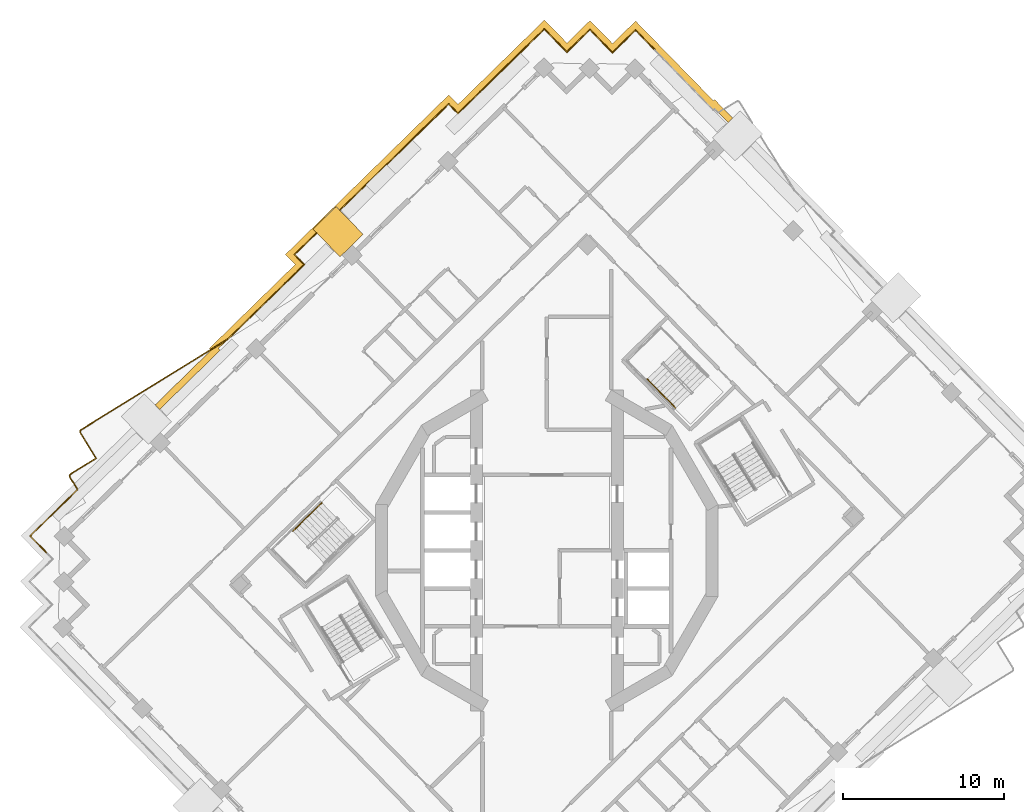
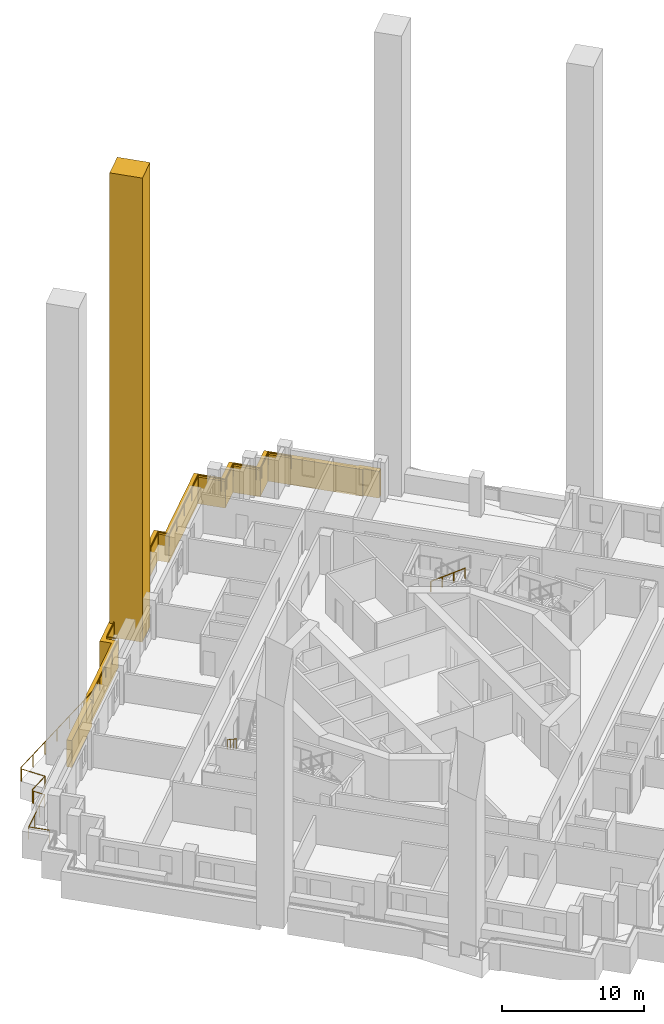
# One storey, part 14 of 17: 4 railings, 2 coverings.
"""IFC4 building model written with IfcOpenShell, lengths in metres."""

from ifc_helpers import new_model, si_unit, direction, frame, origin, origin_2d, place, context, subcontext, project, spatial, polyline, rectangle, circle, outline, extrude, material, type_object, element, save


model = new_model("IFC4")

# Units and contexts
model_context = context("Model", 3, precision=1e-05, world=origin(), true_north=direction((0.0, 1.0)))
body_context = subcontext(model_context, "Body", "Model", "MODEL_VIEW")
ifc_project = project(units=[si_unit("LENGTHUNIT", "METRE"), si_unit("AREAUNIT", "SQUARE_METRE"), si_unit("VOLUMEUNIT", "CUBIC_METRE"), si_unit("PLANEANGLEUNIT", "RADIAN"), si_unit("MASSUNIT", "GRAM", prefix="KILO")], contexts=[model_context])

# Site, building, storey
site_placement = place(None, origin())
site = spatial("IfcSite", under=ifc_project, at=site_placement, CompositionType="ELEMENT")
building_placement = place(site_placement, origin())
building = spatial("IfcBuilding", under=site, at=building_placement, Name="Cantera Rosa Tower", CompositionType="ELEMENT")
storey_placement = place(building_placement, frame((0.0, 0.0, 205.39990234375)))
storey = spatial("IfcBuildingStorey", under=building, at=storey_placement, Name="L43", CompositionType="ELEMENT", Elevation=205.39990234375)

# Railings
ifc_material_1 = material(Name="Stainless steel and laminated glass", Category="steel")
railing_type_1 = type_object("IfcRailingType", Name="GUARD 1100", PredefinedType="BALUSTRADE", material=ifc_material_1)
railing_1_placement = place(storey_placement, frame((-31.0107421875, -0.16943359375, 0.0)))
element("IfcRailing", 1, at=railing_1_placement, inside=storey, type_object=railing_type_1, Name="GUARD L43-4", PredefinedType="BALUSTRADE", context=body_context, shape_type="SweptSolid", body=[
    extrude(circle(Radius=0.030029296875, at=origin_2d()), frame((0.0, 0.0, 1.070068359375), z_axis=(-0.698838323933, 0.71527966349, 0.0), x_axis=(-0.71527966349, -0.698838323933, 0.0)), (0.0, 0.0, 1.0), 1.499755859375),
    extrude(circle(Radius=0.030029296875, at=origin_2d()), frame((-1.048095703125, 1.07275390625, 1.070068359375), z_axis=(0.71519829713, 0.698921594874, 0.0), x_axis=(-0.698921594874, 0.71519829713, 0.0)), (0.0, 0.0, 1.0), 1.5),
    extrude(circle(Radius=0.030029296875, at=origin_2d()), frame((0.024658203125, 2.12109375, 1.070068359375), z_axis=(0.715284895398, 0.698832968896, 0.0), x_axis=(-0.698832968896, 0.715284895398, 0.0)), (0.0, 0.0, 1.0), 2.61181640625),
    extrude(circle(Radius=0.030029296875, at=origin_2d()), frame((1.892822265625, 3.9462890625, 1.070068359375), z_axis=(-0.525036207182, 0.851079891166, 0.0), x_axis=(-0.851079891166, -0.525036207182, 0.0)), (0.0, 0.0, 1.0), 0.8994140625),
    extrude(circle(Radius=0.030029296875, at=origin_2d()), frame((1.420654296875, 4.711669921875, 1.070068359375), z_axis=(-0.480011415389, 0.877262241919, 0.0), x_axis=(-0.877262241919, -0.480011415389, 0.0)), (0.0, 0.0, 1.0), 0.0146484375),
    extrude(circle(Radius=0.030029296875, at=origin_2d()), frame((1.41357421875, 4.724609375, 1.070068359375), z_axis=(-0.399944456016, 0.91653937837, 0.0), x_axis=(-0.91653937837, -0.399944456016, 0.0)), (0.0, 0.0, 1.0), 0.0146484375),
    extrude(circle(Radius=0.030029296875, at=origin_2d()), frame((1.40771484375, 4.738037109375, 1.070068359375), z_axis=(-0.296399214872, 0.955064136811, 0.0), x_axis=(-0.955064136811, -0.296399214872, 0.0)), (0.0, 0.0, 1.0), 0.014892578125),
    extrude(circle(Radius=0.030029296875, at=origin_2d()), frame((1.4033203125, 4.752197265625, 1.070068359375), z_axis=(-0.199309151649, 0.979936662274, 0.0), x_axis=(-0.979936662274, -0.199309151649, 0.0)), (0.0, 0.0, 1.0), 0.0146484375),
    extrude(circle(Radius=0.030029296875, at=origin_2d()), frame((1.400390625, 4.7666015625, 1.070068359375), z_axis=(-0.11588069956, 0.993263139087, 0.0), x_axis=(-0.993263139087, -0.11588069956, 0.0)), (0.0, 0.0, 1.0), 0.0146484375),
    extrude(circle(Radius=0.030029296875, at=origin_2d()), frame((1.398681640625, 4.78125, 1.070068359375), z_axis=(-0.016664352334, 0.99986114004, 0.0), x_axis=(-0.99986114004, -0.016664352334, 0.0)), (0.0, 0.0, 1.0), 0.0146484375),
    extrude(circle(Radius=0.030029296875, at=origin_2d()), frame((1.3984375, 4.7958984375, 1.070068359375), z_axis=(0.083045479854, 0.996545758245, 0.0), x_axis=(-0.996545758245, 0.083045479854, 0.0)), (0.0, 0.0, 1.0), 0.0146484375),
    extrude(circle(Radius=0.030029296875, at=origin_2d()), frame((1.399658203125, 4.810546875, 1.070068359375), z_axis=(0.183282428617, 0.983060298944, 0.0), x_axis=(-0.983060298944, 0.183282428617, 0.0)), (0.0, 0.0, 1.0), 0.0146484375),
    extrude(circle(Radius=0.030029296875, at=origin_2d()), frame((1.40234375, 4.824951171875, 1.070068359375), z_axis=(0.281270435277, 0.959628543885, 0.0), x_axis=(-0.959628543885, 0.281270435277, 0.0)), (0.0, 0.0, 1.0), 0.0146484375),
    extrude(circle(Radius=0.030029296875, at=origin_2d()), frame((1.406494140625, 4.839111328125, 1.070068359375), z_axis=(0.365652372423, 0.93075149344, 0.0), x_axis=(-0.93075149344, 0.365652372423, 0.0)), (0.0, 0.0, 1.0), 0.0146484375),
    extrude(circle(Radius=0.030029296875, at=origin_2d()), frame((1.411865234375, 4.852783203125, 1.070068359375), z_axis=(0.460317164455, 0.887754531449, 0.0), x_axis=(-0.887754531449, 0.460317164455, 0.0)), (0.0, 0.0, 1.0), 0.014892578125),
    extrude(circle(Radius=0.030029296875, at=origin_2d()), frame((1.418701171875, 4.865966796875, 1.070068359375), z_axis=(0.550842208331, 0.834609406562, 0.0), x_axis=(-0.834609406562, 0.550842208331, 0.0)), (0.0, 0.0, 1.0), 0.0146484375),
    extrude(circle(Radius=0.030029296875, at=origin_2d()), frame((1.4267578125, 4.878173828125, 1.070068359375), z_axis=(0.628722149442, 0.777630026941, 0.0), x_axis=(-0.777630026941, 0.628722149442, 0.0)), (0.0, 0.0, 1.0), 0.0146484375),
    extrude(circle(Radius=0.030029296875, at=origin_2d()), frame((1.43603515625, 4.8896484375, 1.070068359375), z_axis=(0.698739523875, 0.715376179206, 0.0), x_axis=(-0.715376179206, 0.698739523875, 0.0)), (0.0, 0.0, 1.0), 0.0146484375),
    extrude(circle(Radius=0.030029296875, at=origin_2d()), frame((1.4462890625, 4.900146484375, 1.070068359375), z_axis=(0.762756963467, 0.646685251635, 0.0), x_axis=(-0.646685251635, 0.762756963467, 0.0)), (0.0, 0.0, 1.0), 0.0146484375),
    extrude(circle(Radius=0.030029296875, at=origin_2d()), frame((1.45751953125, 4.90966796875, 1.070068359375), z_axis=(0.82692650207, 0.562310021407, 0.0), x_axis=(-0.562310021407, 0.82692650207, 0.0)), (0.0, 0.0, 1.0), 0.0146484375),
    extrude(circle(Radius=0.030029296875, at=origin_2d()), frame((1.4697265625, 4.91796875, 1.070068359375), z_axis=(0.851103903917, 0.524997280695, 0.0), x_axis=(-0.524997280695, 0.851103903917, 0.0)), (0.0, 0.0, 1.0), 1.84619140625),
    extrude(circle(Radius=0.030029296875, at=origin_2d()), frame((3.041015625, 5.88720703125, 1.070068359375), z_axis=(0.8, 0.6, 0.0), x_axis=(-0.6, 0.8, 0.0)), (0.0, 0.0, 1.0), 0.003662109375),
    extrude(circle(Radius=0.030029296875, at=origin_2d()), frame((3.0439453125, 5.889404296875, 1.070068359375), z_axis=(-0.503871025524, 0.863778900898, 0.0), x_axis=(-0.863778900898, -0.503871025524, 0.0)), (0.0, 0.0, 1.0), 0.00341796875),
    extrude(circle(Radius=0.030029296875, at=origin_2d()), frame((3.042236328125, 5.892333984375, 1.070068359375), z_axis=(-0.524938197142, 0.851140346348, 0.0), x_axis=(-0.851140346348, -0.524938197142, 0.0)), (0.0, 0.0, 1.0), 1.846435546875),
    extrude(circle(Radius=0.030029296875, at=origin_2d()), frame((2.072998046875, 7.4638671875, 1.070068359375), z_axis=(-0.480011415389, 0.877262241919, 0.0), x_axis=(-0.877262241919, -0.480011415389, 0.0)), (0.0, 0.0, 1.0), 0.0146484375),
    extrude(circle(Radius=0.030029296875, at=origin_2d()), frame((2.06591796875, 7.476806640625, 1.070068359375), z_axis=(-0.399944456016, 0.91653937837, 0.0), x_axis=(-0.91653937837, -0.399944456016, 0.0)), (0.0, 0.0, 1.0), 0.0146484375),
    extrude(circle(Radius=0.030029296875, at=origin_2d()), frame((2.06005859375, 7.490234375, 1.070068359375), z_axis=(-0.296399214872, 0.955064136811, 0.0), x_axis=(-0.955064136811, -0.296399214872, 0.0)), (0.0, 0.0, 1.0), 0.014892578125),
    extrude(circle(Radius=0.030029296875, at=origin_2d()), frame((2.0556640625, 7.50439453125, 1.070068359375), z_axis=(-0.215177531037, 0.976574948551, 0.0), x_axis=(-0.976574948551, -0.215177531037, 0.0)), (0.0, 0.0, 1.0), 0.0146484375),
    extrude(circle(Radius=0.030029296875, at=origin_2d()), frame((2.052490234375, 7.518798828125, 1.070068359375), z_axis=(-0.099503719021, 0.99503719021, 0.0), x_axis=(-0.99503719021, -0.099503719021, 0.0)), (0.0, 0.0, 1.0), 0.0146484375),
    extrude(circle(Radius=0.030029296875, at=origin_2d()), frame((2.051025390625, 7.533447265625, 1.070068359375), z_axis=(-0.016664352334, 0.99986114004, 0.0), x_axis=(-0.99986114004, -0.016664352334, 0.0)), (0.0, 0.0, 1.0), 0.0146484375),
    extrude(circle(Radius=0.030029296875, at=origin_2d()), frame((2.05078125, 7.548095703125, 1.070068359375), z_axis=(0.083045479854, 0.996545758245, 0.0), x_axis=(-0.996545758245, 0.083045479854, 0.0)), (0.0, 0.0, 1.0), 0.0146484375),
    extrude(circle(Radius=0.030029296875, at=origin_2d()), frame((2.052001953125, 7.562744140625, 1.070068359375), z_axis=(0.183282428617, 0.983060298944, 0.0), x_axis=(-0.983060298944, 0.183282428617, 0.0)), (0.0, 0.0, 1.0), 0.0146484375),
    extrude(circle(Radius=0.030029296875, at=origin_2d()), frame((2.0546875, 7.5771484375, 1.070068359375), z_axis=(0.281270435277, 0.959628543885, 0.0), x_axis=(-0.959628543885, 0.281270435277, 0.0)), (0.0, 0.0, 1.0), 0.0146484375),
    extrude(circle(Radius=0.030029296875, at=origin_2d()), frame((2.058837890625, 7.59130859375, 1.070068359375), z_axis=(0.365652372423, 0.93075149344, 0.0), x_axis=(-0.93075149344, 0.365652372423, 0.0)), (0.0, 0.0, 1.0), 0.0146484375),
    extrude(circle(Radius=0.030029296875, at=origin_2d()), frame((2.064208984375, 7.60498046875, 1.070068359375), z_axis=(0.460317164455, 0.887754531449, 0.0), x_axis=(-0.887754531449, 0.460317164455, 0.0)), (0.0, 0.0, 1.0), 0.014892578125),
    extrude(circle(Radius=0.030029296875, at=origin_2d()), frame((2.071044921875, 7.6181640625, 1.070068359375), z_axis=(0.550842208331, 0.834609406562, 0.0), x_axis=(-0.834609406562, 0.550842208331, 0.0)), (0.0, 0.0, 1.0), 0.0146484375),
    extrude(circle(Radius=0.030029296875, at=origin_2d()), frame((2.0791015625, 7.63037109375, 1.070068359375), z_axis=(0.618559606331, 0.785737878313, 0.0), x_axis=(-0.785737878313, 0.618559606331, 0.0)), (0.0, 0.0, 1.0), 0.0146484375),
    extrude(circle(Radius=0.030029296875, at=origin_2d()), frame((2.088134765625, 7.641845703125, 1.070068359375), z_axis=(0.707106781187, 0.707106781187, 0.0), x_axis=(-0.707106781187, 0.707106781187, 0.0)), (0.0, 0.0, 1.0), 0.014892578125),
    extrude(circle(Radius=0.030029296875, at=origin_2d()), frame((2.0986328125, 7.65234375, 1.070068359375), z_axis=(0.762756963467, 0.646685251635, 0.0), x_axis=(-0.646685251635, 0.762756963467, 0.0)), (0.0, 0.0, 1.0), 0.0146484375),
    extrude(circle(Radius=0.030029296875, at=origin_2d()), frame((2.10986328125, 7.661865234375, 1.070068359375), z_axis=(0.821588113591, 0.570081548206, 0.0), x_axis=(-0.570081548206, 0.821588113591, 0.0)), (0.0, 0.0, 1.0), 0.0146484375),
    extrude(circle(Radius=0.030029296875, at=origin_2d()), frame((2.121826171875, 7.670166015625, 1.070068359375), z_axis=(0.851114302365, 0.524980422787, 0.0), x_axis=(-0.524980422787, 0.851114302365, 0.0)), (0.0, 0.0, 1.0), 10.70263671875),
    extrude(circle(Radius=0.030029296875, at=origin_2d()), frame((11.23095703125, 13.288818359375, 1.070068359375), z_axis=(0.715288656227, 0.698829119509, 0.0), x_axis=(-0.698829119509, 0.715288656227, 0.0)), (0.0, 0.0, 1.0), 6.615478515625),
    extrude(circle(Radius=0.030029296875, at=origin_2d()), frame((15.962890625, 17.911865234375, 1.070068359375), z_axis=(-0.698756270008, 0.715359822135, 0.0), x_axis=(-0.715359822135, -0.698756270008, 0.0)), (0.0, 0.0, 1.0), 0.867431640625),
    extrude(circle(Radius=0.030029296875, at=origin_2d()), frame((15.356689453125, 18.532470703125, 1.070068359375), z_axis=(0.715242834957, 0.698876016932, 0.0), x_axis=(-0.698876016932, 0.715242834957, 0.0)), (0.0, 0.0, 1.0), 1.89453125),
    extrude(circle(Radius=0.02490234375, at=origin_2d()), origin(), (0.0, 0.0, 1.0), 1.0400390625),
    extrude(circle(Radius=0.02490234375, at=origin_2d()), frame((-1.048095703125, 1.07275390625, 0.0)), (0.0, 0.0, 1.0), 1.0400390625),
    extrude(circle(Radius=0.02490234375, at=origin_2d()), frame((0.024658203125, 2.12109375, 0.0)), (0.0, 0.0, 1.0), 1.0400390625),
    extrude(circle(Radius=0.02490234375, at=origin_2d()), frame((0.958740234375, 3.03369140625, 0.0)), (0.0, 0.0, 1.0), 1.0400390625),
    extrude(circle(Radius=0.02490234375, at=origin_2d()), frame((1.892822265625, 3.9462890625, 0.0)), (0.0, 0.0, 1.0), 1.0400390625),
    extrude(circle(Radius=0.02490234375, at=origin_2d()), frame((1.420654296875, 4.711669921875, 0.0)), (0.0, 0.0, 1.0), 1.0400390625),
    extrude(circle(Radius=0.02490234375, at=origin_2d()), frame((1.41357421875, 4.724609375, 0.0)), (0.0, 0.0, 1.0), 1.0400390625),
    extrude(circle(Radius=0.02490234375, at=origin_2d()), frame((1.40771484375, 4.738037109375, 0.0)), (0.0, 0.0, 1.0), 1.0400390625),
    extrude(circle(Radius=0.02490234375, at=origin_2d()), frame((1.4033203125, 4.752197265625, 0.0)), (0.0, 0.0, 1.0), 1.0400390625),
    extrude(circle(Radius=0.02490234375, at=origin_2d()), frame((1.400390625, 4.7666015625, 0.0)), (0.0, 0.0, 1.0), 1.0400390625),
    extrude(circle(Radius=0.02490234375, at=origin_2d()), frame((1.398681640625, 4.78125, 0.0)), (0.0, 0.0, 1.0), 1.0400390625),
    extrude(circle(Radius=0.02490234375, at=origin_2d()), frame((1.3984375, 4.7958984375, 0.0)), (0.0, 0.0, 1.0), 1.0400390625),
    extrude(circle(Radius=0.02490234375, at=origin_2d()), frame((1.399658203125, 4.810546875, 0.0)), (0.0, 0.0, 1.0), 1.0400390625),
    extrude(circle(Radius=0.02490234375, at=origin_2d()), frame((1.40234375, 4.824951171875, 0.0)), (0.0, 0.0, 1.0), 1.0400390625),
    extrude(circle(Radius=0.02490234375, at=origin_2d()), frame((1.406494140625, 4.839111328125, 0.0)), (0.0, 0.0, 1.0), 1.0400390625),
    extrude(circle(Radius=0.02490234375, at=origin_2d()), frame((1.411865234375, 4.852783203125, 0.0)), (0.0, 0.0, 1.0), 1.0400390625),
    extrude(circle(Radius=0.02490234375, at=origin_2d()), frame((1.418701171875, 4.865966796875, 0.0)), (0.0, 0.0, 1.0), 1.0400390625),
    extrude(circle(Radius=0.02490234375, at=origin_2d()), frame((1.4267578125, 4.878173828125, 0.0)), (0.0, 0.0, 1.0), 1.0400390625),
    extrude(circle(Radius=0.02490234375, at=origin_2d()), frame((1.43603515625, 4.8896484375, 0.0)), (0.0, 0.0, 1.0), 1.0400390625),
    extrude(circle(Radius=0.02490234375, at=origin_2d()), frame((1.4462890625, 4.900146484375, 0.0)), (0.0, 0.0, 1.0), 1.0400390625),
    extrude(circle(Radius=0.02490234375, at=origin_2d()), frame((1.45751953125, 4.90966796875, 0.0)), (0.0, 0.0, 1.0), 1.0400390625),
    extrude(circle(Radius=0.02490234375, at=origin_2d()), frame((1.4697265625, 4.91796875, 0.0)), (0.0, 0.0, 1.0), 1.0400390625),
    extrude(circle(Radius=0.02490234375, at=origin_2d()), frame((3.041015625, 5.88720703125, 0.0)), (0.0, 0.0, 1.0), 1.0400390625),
    extrude(circle(Radius=0.02490234375, at=origin_2d()), frame((3.0439453125, 5.889404296875, 0.0)), (0.0, 0.0, 1.0), 1.0400390625),
    extrude(circle(Radius=0.02490234375, at=origin_2d()), frame((3.042236328125, 5.892333984375, 0.0)), (0.0, 0.0, 1.0), 1.0400390625),
    extrude(circle(Radius=0.02490234375, at=origin_2d()), frame((2.072998046875, 7.4638671875, 0.0)), (0.0, 0.0, 1.0), 1.0400390625),
    extrude(circle(Radius=0.02490234375, at=origin_2d()), frame((2.06591796875, 7.476806640625, 0.0)), (0.0, 0.0, 1.0), 1.0400390625),
    extrude(circle(Radius=0.02490234375, at=origin_2d()), frame((2.06005859375, 7.490234375, 0.0)), (0.0, 0.0, 1.0), 1.0400390625),
    extrude(circle(Radius=0.02490234375, at=origin_2d()), frame((2.0556640625, 7.50439453125, 0.0)), (0.0, 0.0, 1.0), 1.0400390625),
    extrude(circle(Radius=0.02490234375, at=origin_2d()), frame((2.052490234375, 7.518798828125, 0.0)), (0.0, 0.0, 1.0), 1.0400390625),
    extrude(circle(Radius=0.02490234375, at=origin_2d()), frame((2.051025390625, 7.533447265625, 0.0)), (0.0, 0.0, 1.0), 1.0400390625),
    extrude(circle(Radius=0.02490234375, at=origin_2d()), frame((2.05078125, 7.548095703125, 0.0)), (0.0, 0.0, 1.0), 1.0400390625),
    extrude(circle(Radius=0.02490234375, at=origin_2d()), frame((2.052001953125, 7.562744140625, 0.0)), (0.0, 0.0, 1.0), 1.0400390625),
    extrude(circle(Radius=0.02490234375, at=origin_2d()), frame((2.0546875, 7.5771484375, 0.0)), (0.0, 0.0, 1.0), 1.0400390625),
    extrude(circle(Radius=0.02490234375, at=origin_2d()), frame((2.058837890625, 7.59130859375, 0.0)), (0.0, 0.0, 1.0), 1.0400390625),
    extrude(circle(Radius=0.02490234375, at=origin_2d()), frame((2.064208984375, 7.60498046875, 0.0)), (0.0, 0.0, 1.0), 1.0400390625),
    extrude(circle(Radius=0.02490234375, at=origin_2d()), frame((2.071044921875, 7.6181640625, 0.0)), (0.0, 0.0, 1.0), 1.0400390625),
    extrude(circle(Radius=0.02490234375, at=origin_2d()), frame((2.0791015625, 7.63037109375, 0.0)), (0.0, 0.0, 1.0), 1.0400390625),
    extrude(circle(Radius=0.02490234375, at=origin_2d()), frame((2.088134765625, 7.641845703125, 0.0)), (0.0, 0.0, 1.0), 1.0400390625),
    extrude(circle(Radius=0.02490234375, at=origin_2d()), frame((2.0986328125, 7.65234375, 0.0)), (0.0, 0.0, 1.0), 1.0400390625),
    extrude(circle(Radius=0.02490234375, at=origin_2d()), frame((2.10986328125, 7.661865234375, 0.0)), (0.0, 0.0, 1.0), 1.0400390625),
    extrude(circle(Radius=0.02490234375, at=origin_2d()), frame((2.121826171875, 7.670166015625, 0.0)), (0.0, 0.0, 1.0), 1.0400390625),
    extrude(circle(Radius=0.02490234375, at=origin_2d()), frame((3.64013671875, 8.606689453125, 0.0)), (0.0, 0.0, 1.0), 1.0400390625),
    extrude(circle(Radius=0.02490234375, at=origin_2d()), frame((5.158203125, 9.54296875, 0.0)), (0.0, 0.0, 1.0), 1.0400390625),
    extrude(circle(Radius=0.02490234375, at=origin_2d()), frame((6.67626953125, 10.4794921875, 0.0)), (0.0, 0.0, 1.0), 1.0400390625),
    extrude(circle(Radius=0.02490234375, at=origin_2d()), frame((8.194580078125, 11.416015625, 0.0)), (0.0, 0.0, 1.0), 1.0400390625),
    extrude(circle(Radius=0.02490234375, at=origin_2d()), frame((9.712890625, 12.352294921875, 0.0)), (0.0, 0.0, 1.0), 1.0400390625),
    extrude(circle(Radius=0.02490234375, at=origin_2d()), frame((11.23095703125, 13.288818359375, 0.0)), (0.0, 0.0, 1.0), 1.0400390625),
    extrude(circle(Radius=0.02490234375, at=origin_2d()), frame((12.4140625, 14.444580078125, 0.0)), (0.0, 0.0, 1.0), 1.0400390625),
    extrude(circle(Radius=0.02490234375, at=origin_2d()), frame((13.596923828125, 15.600341796875, 0.0)), (0.0, 0.0, 1.0), 1.0400390625),
    extrude(circle(Radius=0.02490234375, at=origin_2d()), frame((14.77978515625, 16.756103515625, 0.0)), (0.0, 0.0, 1.0), 1.0400390625),
    extrude(circle(Radius=0.02490234375, at=origin_2d()), frame((15.962890625, 17.911865234375, 0.0)), (0.0, 0.0, 1.0), 1.0400390625),
    extrude(circle(Radius=0.02490234375, at=origin_2d()), frame((15.356689453125, 18.532470703125, 0.0)), (0.0, 0.0, 1.0), 1.0400390625),
    extrude(circle(Radius=0.02490234375, at=origin_2d()), frame((16.711669921875, 19.8564453125, 0.0)), (0.0, 0.0, 1.0), 1.0400390625),
])
railing_2_placement = place(storey_placement, frame((-12.825439453125, 21.126708984375, 0.0)))
element("IfcRailing", 2, at=railing_2_placement, inside=storey, type_object=railing_type_1, Name="GUARD L43-8", PredefinedType="BALUSTRADE", context=body_context, shape_type="SweptSolid", body=[
    extrude(circle(Radius=0.030029296875, at=origin_2d()), frame((0.0, 0.0, 1.070068359375), z_axis=(0.715279704792, 0.698838281659, 0.0), x_axis=(-0.698838281659, 0.715279704792, 0.0)), (0.0, 0.0, 1.0), 9.414306640625),
    extrude(circle(Radius=0.030029296875, at=origin_2d()), frame((6.73388671875, 6.5791015625, 1.070068359375), z_axis=(0.698767714386, -0.715348643202, 0.0), x_axis=(0.715348643202, 0.698767714386, 0.0)), (0.0, 0.0, 1.0), 0.824462890625),
    extrude(circle(Radius=0.030029296875, at=origin_2d()), frame((7.31005859375, 5.9892578125, 1.070068359375), z_axis=(0.715294394715, 0.698823245814, 0.0), x_axis=(-0.698823245814, 0.715294394715, 0.0)), (0.0, 0.0, 1.0), 5.79541015625),
    extrude(circle(Radius=0.030029296875, at=origin_2d()), frame((11.45556640625, 10.039306640625, 1.070068359375), z_axis=(0.715316077832, 0.69880105094, 0.0), x_axis=(-0.69880105094, 0.715316077832, 0.0)), (0.0, 0.0, 1.0), 1.699951171875),
    extrude(circle(Radius=0.030029296875, at=origin_2d()), frame((12.671630859375, 11.227294921875, 1.070068359375), z_axis=(0.698872839675, -0.715245939495, 0.0), x_axis=(0.715245939495, 0.698872839675, 0.0)), (0.0, 0.0, 1.0), 1.699951171875),
    extrude(circle(Radius=0.030029296875, at=origin_2d()), frame((13.859619140625, 10.011474609375, 1.070068359375), z_axis=(0.698506948293, -0.715603272202, 0.0), x_axis=(0.715603272202, 0.698506948293, 0.0)), (0.0, 0.0, 1.0), 0.2998046875),
    extrude(circle(Radius=0.030029296875, at=origin_2d()), frame((14.069091796875, 9.796875, 1.070068359375), z_axis=(0.715196445894, 0.698923489218, 0.0), x_axis=(-0.698923489218, 0.715196445894, 0.0)), (0.0, 0.0, 1.0), 0.300048828125),
    extrude(circle(Radius=0.030029296875, at=origin_2d()), frame((14.28369140625, 10.006591796875, 1.070068359375), z_axis=(0.715316077832, 0.69880105094, 0.0), x_axis=(-0.69880105094, 0.715316077832, 0.0)), (0.0, 0.0, 1.0), 1.699951171875),
    extrude(circle(Radius=0.030029296875, at=origin_2d()), frame((15.499755859375, 11.194580078125, 1.070068359375), z_axis=(0.69880105094, -0.715316077832, 0.0), x_axis=(0.715316077832, 0.69880105094, 0.0)), (0.0, 0.0, 1.0), 1.699951171875),
    extrude(circle(Radius=0.030029296875, at=origin_2d()), frame((16.687744140625, 9.978515625, 1.070068359375), z_axis=(0.698923489218, -0.715196445894, 0.0), x_axis=(0.715196445894, 0.698923489218, 0.0)), (0.0, 0.0, 1.0), 0.300048828125),
    extrude(circle(Radius=0.030029296875, at=origin_2d()), frame((16.8974609375, 9.763916015625, 1.070068359375), z_axis=(0.715196445894, 0.698923489218, 0.0), x_axis=(-0.698923489218, 0.715196445894, 0.0)), (0.0, 0.0, 1.0), 0.300048828125),
    extrude(circle(Radius=0.030029296875, at=origin_2d()), frame((17.112060546875, 9.9736328125, 1.070068359375), z_axis=(0.715316077832, 0.69880105094, 0.0), x_axis=(-0.69880105094, 0.715316077832, 0.0)), (0.0, 0.0, 1.0), 1.699951171875),
    extrude(circle(Radius=0.030029296875, at=origin_2d()), frame((18.328125, 11.16162109375, 1.070068359375), z_axis=(0.69880105094, -0.715316077832, 0.0), x_axis=(0.715316077832, 0.69880105094, 0.0)), (0.0, 0.0, 1.0), 1.699951171875),
    extrude(circle(Radius=0.02490234375, at=origin_2d()), origin(), (0.0, 0.0, 1.0), 1.0400390625),
    extrude(circle(Radius=0.02490234375, at=origin_2d()), frame((1.3466796875, 1.31591796875, 0.0)), (0.0, 0.0, 1.0), 1.0400390625),
    extrude(circle(Radius=0.02490234375, at=origin_2d()), frame((2.693603515625, 2.631591796875, 0.0)), (0.0, 0.0, 1.0), 1.0400390625),
    extrude(circle(Radius=0.02490234375, at=origin_2d()), frame((4.040283203125, 3.947509765625, 0.0)), (0.0, 0.0, 1.0), 1.0400390625),
    extrude(circle(Radius=0.02490234375, at=origin_2d()), frame((5.38720703125, 5.26318359375, 0.0)), (0.0, 0.0, 1.0), 1.0400390625),
    extrude(circle(Radius=0.02490234375, at=origin_2d()), frame((6.73388671875, 6.5791015625, 0.0)), (0.0, 0.0, 1.0), 1.0400390625),
    extrude(circle(Radius=0.02490234375, at=origin_2d()), frame((7.31005859375, 5.9892578125, 0.0)), (0.0, 0.0, 1.0), 1.0400390625),
    extrude(circle(Radius=0.02490234375, at=origin_2d()), frame((8.69189453125, 7.33935546875, 0.0)), (0.0, 0.0, 1.0), 1.0400390625),
    extrude(circle(Radius=0.02490234375, at=origin_2d()), frame((10.07373046875, 8.689208984375, 0.0)), (0.0, 0.0, 1.0), 1.0400390625),
    extrude(circle(Radius=0.02490234375, at=origin_2d()), frame((11.45556640625, 10.039306640625, 0.0)), (0.0, 0.0, 1.0), 1.0400390625),
    extrude(circle(Radius=0.02490234375, at=origin_2d()), frame((12.671630859375, 11.227294921875, 0.0)), (0.0, 0.0, 1.0), 1.0400390625),
    extrude(circle(Radius=0.02490234375, at=origin_2d()), frame((13.859619140625, 10.011474609375, 0.0)), (0.0, 0.0, 1.0), 1.0400390625),
    extrude(circle(Radius=0.02490234375, at=origin_2d()), frame((14.069091796875, 9.796875, 0.0)), (0.0, 0.0, 1.0), 1.0400390625),
    extrude(circle(Radius=0.02490234375, at=origin_2d()), frame((14.28369140625, 10.006591796875, 0.0)), (0.0, 0.0, 1.0), 1.0400390625),
    extrude(circle(Radius=0.02490234375, at=origin_2d()), frame((15.499755859375, 11.194580078125, 0.0)), (0.0, 0.0, 1.0), 1.0400390625),
    extrude(circle(Radius=0.02490234375, at=origin_2d()), frame((16.687744140625, 9.978515625, 0.0)), (0.0, 0.0, 1.0), 1.0400390625),
    extrude(circle(Radius=0.02490234375, at=origin_2d()), frame((16.8974609375, 9.763916015625, 0.0)), (0.0, 0.0, 1.0), 1.0400390625),
    extrude(circle(Radius=0.02490234375, at=origin_2d()), frame((17.112060546875, 9.9736328125, 0.0)), (0.0, 0.0, 1.0), 1.0400390625),
    extrude(circle(Radius=0.02490234375, at=origin_2d()), frame((18.328125, 11.16162109375, 0.0)), (0.0, 0.0, 1.0), 1.0400390625),
    extrude(circle(Radius=0.02490234375, at=origin_2d()), frame((19.51611328125, 9.945556640625, 0.0)), (0.0, 0.0, 1.0), 1.0400390625),
])
ifc_material_2 = material(Name="Steel S355J2 (EN 10025-2)", Category="steel")
railing_type_2 = type_object("IfcRailingType", Name="STAIR HANDRAIL 900", PredefinedType="HANDRAIL", material=ifc_material_2)
railing_3_placement = place(storey_placement, frame((6.23388671875, 10.64013671875, 1.97998046875)))
element("IfcRailing", 3, at=railing_3_placement, inside=storey, type_object=railing_type_2, Name="L43 ST-42 stair handrail 2", PredefinedType="HANDRAIL", context=body_context, shape_type="SweptSolid", body=[
    extrude(circle(Radius=0.02392578125, at=origin_2d()), frame((0.0, 0.0, 0.8759765625), z_axis=(0.587818193466, -0.601672219931, 0.54079599776), x_axis=(0.715293958342, 0.698823692472, 0.0)), (0.0, 0.0, 1.0), 2.995849609375),
    extrude(circle(Radius=0.02099609375, at=origin_2d()), origin(), (0.0, 0.0, 1.0), 0.851806640625),
    extrude(circle(Radius=0.02099609375, at=origin_2d()), frame((0.5869140625, -0.600830078125, 0.5400390625)), (0.0, 0.0, 1.0), 0.851806640625),
    extrude(circle(Radius=0.02099609375, at=origin_2d()), frame((1.174072265625, -1.20166015625, 1.080078125)), (0.0, 0.0, 1.0), 0.851806640625),
    extrude(circle(Radius=0.02099609375, at=origin_2d()), frame((1.760986328125, -1.802490234375, 1.6201171875)), (0.0, 0.0, 1.0), 0.851806640625),
])
railing_4_placement = place(storey_placement, frame((-13.95947265625, 2.9619140625, 0.18017578125)))
element("IfcRailing", 4, at=railing_4_placement, inside=storey, type_object=railing_type_2, Name="L43 ST-43 stair handrail 1", PredefinedType="HANDRAIL", context=body_context, shape_type="SweptSolid", body=[
    extrude(circle(Radius=0.02392578125, at=origin_2d()), frame((0.0, 0.0, 0.8759765625), z_axis=(-0.60169873645, -0.587844099419, 0.540738333515), x_axis=(0.698823692472, -0.715293958342, 0.0)), (0.0, 0.0, 1.0), 2.99560546875),
    extrude(circle(Radius=0.02099609375, at=origin_2d()), origin(), (0.0, 0.0, 1.0), 0.851806640625),
    extrude(circle(Radius=0.02099609375, at=origin_2d()), frame((-0.600830078125, -0.5869140625, 0.5400390625)), (0.0, 0.0, 1.0), 0.851806640625),
    extrude(circle(Radius=0.02099609375, at=origin_2d()), frame((-1.20166015625, -1.174072265625, 1.079833984375)), (0.0, 0.0, 1.0), 0.851806640625),
    extrude(circle(Radius=0.02099609375, at=origin_2d()), frame((-1.802490234375, -1.760986328125, 1.619873046875)), (0.0, 0.0, 1.0), 0.851806640625),
])

# Coverings
ifc_material_3 = material(Name="Cantera stone", Category="masonry")
covering_type_1 = type_object("IfcCoveringType", Name="STONE FIN 2000x2400", PredefinedType="CLADDING", material=ifc_material_3)
covering_1_placement = place(storey_placement, frame((-12.951171875, 19.78125, -0.2998046875), z_axis=(0.0, 0.0, 1.0), x_axis=(-0.71528629107, -0.698831540364, 0.0)))
element("IfcCovering", 5, at=covering_1_placement, inside=storey, type_object=covering_type_1, Name="STONE FIN FN-Z4-03", PredefinedType="CLADDING", context=body_context, shape_type="SweptSolid", body=[
    extrude(rectangle(XDim=2.0, YDim=2.39990234375, at=origin_2d()), origin(), (0.0, 0.0, 1.0), 39.89990234375),
])
ifc_material_4 = material(Name="Cantera stone", Category="masonry")
covering_type_2 = type_object("IfcCoveringType", Name="TRAY FASCIA 400", PredefinedType="CLADDING", material=ifc_material_4)
covering_2_placement = place(storey_placement, frame((0.0, 0.0, -1.39990234375)))
element("IfcCovering", 6, at=covering_2_placement, inside=storey, type_object=covering_type_2, Name="TRAY FASCIA L43-03", PredefinedType="CLADDING", context=body_context, shape_type="SweptSolid", body=[
    extrude(outline(polyline([(-15.613525390625, 17.7490234375), (-16.2197265625, 18.36962890625), (-6.0849609375, 28.271484375), (-5.5087890625, 27.681640625), (-1.6494140625, 31.4521484375), (-0.147216796875, 32.919677734375), (1.250244140625, 31.4892578125), (2.680908203125, 32.886962890625), (4.07861328125, 31.456298828125), (5.50927734375, 32.85400390625), (6.976806640625, 31.351806640625), (10.34228515625, 27.906982421875), (10.416748046875, 27.979736328125), (11.530517578125, 26.839599609375), (11.244384765625, 26.56005859375), (10.41015625, 27.4140625), (10.335693359375, 27.34130859375), (6.690673828125, 31.072265625), (5.502685546875, 32.288330078125), (4.28662109375, 31.100341796875), (4.072021484375, 30.890625), (3.8623046875, 31.105224609375), (2.67431640625, 32.3212890625), (1.458251953125, 31.13330078125), (1.24365234375, 30.923583984375), (1.0341796875, 31.13818359375), (-0.15380859375, 32.35400390625), (-1.369873046875, 31.166015625), (-5.515380859375, 27.115966796875), (-6.091552734375, 27.705810546875), (-12.83984375, 21.112548828125), (-13.0673828125, 21.345458984375), (-13.068115234375, 21.34619140625), (-13.06884765625, 21.3466796875), (-13.069580078125, 21.34716796875), (-13.070556640625, 21.34765625), (-13.071533203125, 21.34814453125), (-13.072509765625, 21.348388671875), (-13.073486328125, 21.348388671875), (-13.074462890625, 21.348388671875), (-13.075439453125, 21.348388671875), (-13.076416015625, 21.348388671875), (-13.077392578125, 21.34814453125), (-13.078125, 21.34765625), (-13.0791015625, 21.347412109375), (-13.080078125, 21.346923828125), (-13.080810546875, 21.34619140625), (-13.08154296875, 21.345703125), (-14.511962890625, 19.947998046875), (-14.5126953125, 19.947265625), (-14.513427734375, 19.946533203125), (-14.513916015625, 19.945556640625), (-14.51416015625, 19.94482421875), (-14.5146484375, 19.94384765625), (-14.514892578125, 19.94287109375), (-14.514892578125, 19.94189453125), (-14.51513671875, 19.94091796875), (-14.51513671875, 19.93994140625), (-14.514892578125, 19.93896484375), (-14.5146484375, 19.93798828125), (-14.514404296875, 19.93701171875), (-14.513916015625, 19.936279296875), (-14.513427734375, 19.935302734375), (-14.512939453125, 19.9345703125), (-14.51220703125, 19.933837890625), (-14.28466796875, 19.700927734375), (-15.654052734375, 18.363037109375), (-15.0478515625, 17.742431640625), (-20.37841796875, 12.534423828125), (-20.268798828125, 12.42236328125), (-23.9619140625, 8.814208984375), (-24.0263671875, 8.751220703125), (-24.305908203125, 9.037353515625), (-24.241455078125, 9.100341796875), (-20.83447265625, 12.428955078125), (-20.944091796875, 12.541015625), (-15.613525390625, 17.7490234375)])), origin(), (0.0, 0.0, 1.0), 2.300048828125),
])

save(model, "model.ifc")
